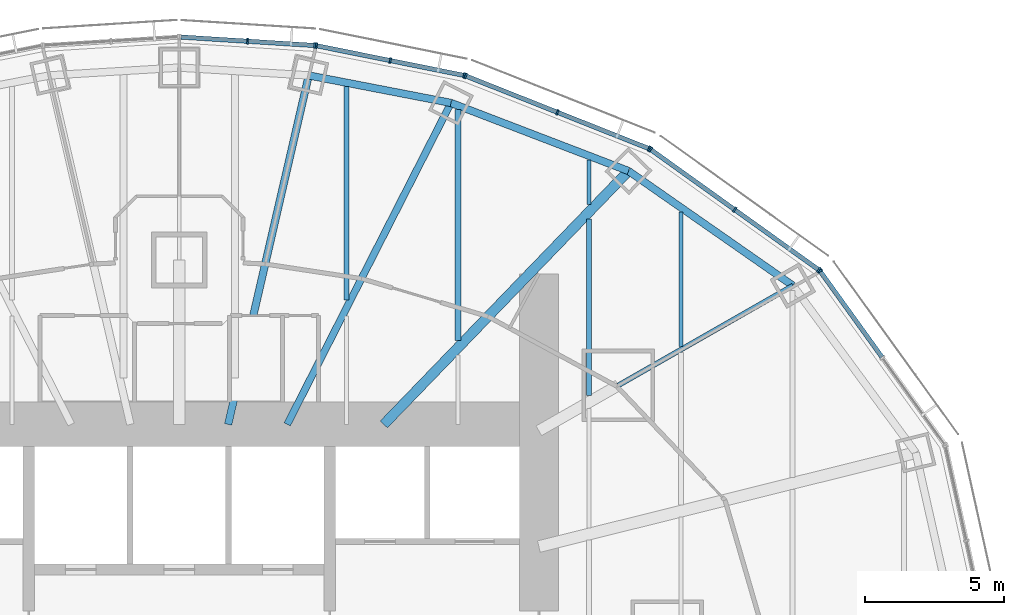
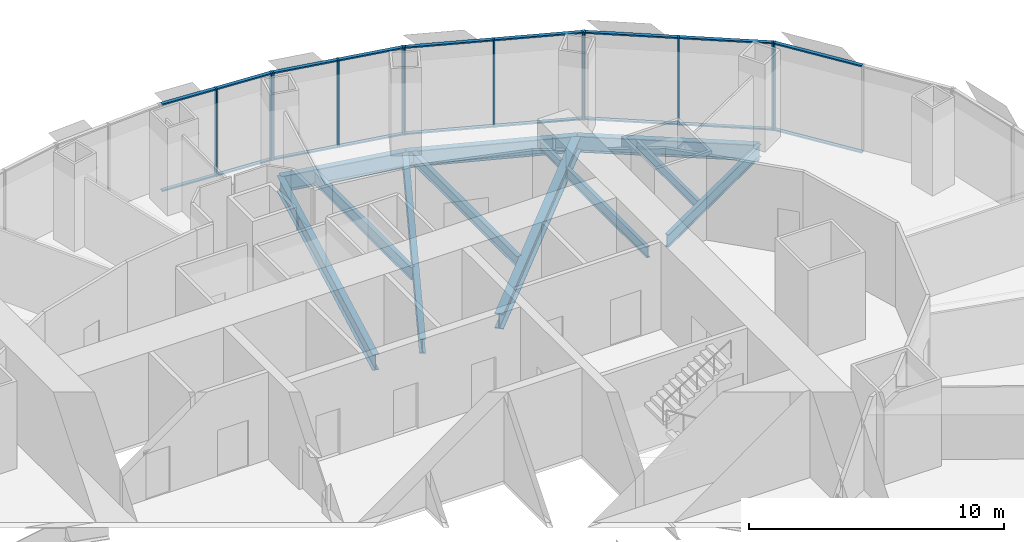
# One storey, part 8 of 18: 30 members, 12 beams, 5 elements without a shape of their own.
"""IFC4 building model written with IfcOpenShell, lengths in metres."""

from ifc_helpers import new_model, si_unit, direction, frame, origin, origin_2d, place, context, subcontext, project, spatial, rectangle, i_section, extrude, material, material_profile, profile_set, type_object, element, aggregate, save


model = new_model("IFC4")

# Units and contexts
model_context = context("Model", 3, precision=1e-05, world=origin(), true_north=direction((0.0, 1.0)))
body_context = subcontext(model_context, "Body", "Model", "MODEL_VIEW")
ifc_project = project(units=[si_unit("LENGTHUNIT", "METRE"), si_unit("AREAUNIT", "SQUARE_METRE"), si_unit("VOLUMEUNIT", "CUBIC_METRE"), si_unit("PLANEANGLEUNIT", "RADIAN"), si_unit("MASSUNIT", "GRAM", prefix="KILO")], contexts=[model_context])

# Site, building, storey
site_placement = place(None, origin())
site = spatial("IfcSite", under=ifc_project, at=site_placement, CompositionType="ELEMENT")
building_placement = place(site_placement, origin())
building = spatial("IfcBuilding", under=site, at=building_placement, Name="Lantaw Convention Tower", CompositionType="ELEMENT")
storey_placement = place(building_placement, frame((0.0, 0.0, 142.60009765625)))
storey = spatial("IfcBuildingStorey", under=building, at=storey_placement, Name="L33", CompositionType="ELEMENT", Elevation=142.60009765625)

# Beams
ifc_material_1 = material(Name="Steel ASTM A992", Category="steel")
ifc_material_profile_1 = material_profile(ifc_material_1, i_section(OverallWidth=0.2666015625, OverallDepth=0.76953125, WebThickness=0.015625, FlangeThickness=0.025390625, FilletRadius=0.0126953125, at=origin_2d()), Name="W30X132")
ifc_profile_set_1 = profile_set([ifc_material_profile_1], Name="Steel ASTM A992")
beam_type_1 = type_object("IfcBeamType", Name="Beam E W30X132", PredefinedType="SPANDREL", material=ifc_profile_set_1)
beam_1_placement = place(storey_placement, frame((22.013916015625, 12.579345703125, -0.534912109375), z_axis=(-0.820310765287, 0.57191804339, 0.0), x_axis=(-0.57191804339, -0.820310765287, 0.0)))
element("IfcBeam", 1, at=beam_1_placement, inside=storey, type_object=beam_type_1, Name="Edge beam 3", PredefinedType="SPANDREL", context=body_context, shape_type="SweptSolid", body=[
    extrude(i_section(OverallWidth=0.2666015625, OverallDepth=0.76953125, WebThickness=0.015625, FlangeThickness=0.025390625, FilletRadius=0.0126953125, at=origin_2d()), origin(), (0.0, 0.0, 1.0), 7.187744140625),
])
beam_2_placement = place(storey_placement, frame((16.11767578125, 16.690185546875, -0.534912109375), z_axis=(-0.933691081977, 0.358079549033, 0.0), x_axis=(-0.358079549033, -0.933691081977, 0.0)))
element("IfcBeam", 2, at=beam_2_placement, inside=storey, type_object=beam_type_1, Name="Edge beam 4", PredefinedType="SPANDREL", context=body_context, shape_type="SweptSolid", body=[
    extrude(i_section(OverallWidth=0.2666015625, OverallDepth=0.76953125, WebThickness=0.015625, FlangeThickness=0.025390625, FilletRadius=0.0126953125, at=origin_2d()), origin(), (0.0, 0.0, 1.0), 6.821533203125),
])
beam_3_placement = place(storey_placement, frame((9.74853515625, 19.1328125, -0.534912109375), z_axis=(-0.981796805654, 0.189934284446, 0.0), x_axis=(-0.189934284446, -0.981796805654, 0.0)))
element("IfcBeam", 3, at=beam_3_placement, inside=storey, type_object=beam_type_1, Name="Edge beam 5", PredefinedType="SPANDREL", context=body_context, shape_type="SweptSolid", body=[
    extrude(i_section(OverallWidth=0.2666015625, OverallDepth=0.76953125, WebThickness=0.015625, FlangeThickness=0.025390625, FilletRadius=0.0126953125, at=origin_2d()), origin(), (0.0, 0.0, 1.0), 5.1982421875),
])
ifc_material_profile_2 = material_profile(ifc_material_1, i_section(OverallWidth=0.177978515625, OverallDepth=0.599365234375, WebThickness=0.010009765625, FlangeThickness=0.012939453125, FilletRadius=0.012939453125, at=origin_2d()), Name="W24X55")
ifc_profile_set_2 = profile_set([ifc_material_profile_2], Name="Steel ASTM A992")
beam_type_2 = type_object("IfcBeamType", Name="Beam G W24X55", PredefinedType="BEAM", material=ifc_profile_set_2)
beam_4_placement = place(storey_placement, frame((15.75, 9.0, -0.44970703125), z_axis=(0.868245224608, 0.496135293993, 0.0), x_axis=(-0.496135293993, 0.868245224608, 0.0)))
element("IfcBeam", 4, at=beam_4_placement, inside=storey, type_object=beam_type_2, Name="Floor girder on ray 3", PredefinedType="BEAM", context=body_context, shape_type="SweptSolid", body=[
    extrude(i_section(OverallWidth=0.177978515625, OverallDepth=0.599365234375, WebThickness=0.010009765625, FlangeThickness=0.012939453125, FilletRadius=0.012939453125, at=origin_2d()), origin(), (0.0, 0.0, 1.0), 7.21435546875),
])
ifc_material_profile_3 = material_profile(ifc_material_1, i_section(OverallWidth=0.25390625, OverallDepth=0.700927734375, WebThickness=0.015380859375, FlangeThickness=0.02783203125, FilletRadius=0.01513671875, at=origin_2d()), Name="W27X129")
ifc_profile_set_3 = profile_set([ifc_material_profile_3], Name="Steel ASTM A992")
beam_type_3 = type_object("IfcBeamType", Name="Beam G W27X129", PredefinedType="BEAM", material=ifc_profile_set_3)
beam_5_placement = place(storey_placement, frame((3.872314453125, 7.60009765625, -0.500732421875), z_axis=(0.453991051051, 0.891006243281, 0.0), x_axis=(-0.891006243281, 0.453991051051, 0.0)))
element("IfcBeam", 5, at=beam_5_placement, inside=storey, type_object=beam_type_3, Name="Floor girder on ray 5", PredefinedType="BEAM", context=body_context, shape_type="SweptSolid", body=[
    extrude(i_section(OverallWidth=0.25390625, OverallDepth=0.700927734375, WebThickness=0.015380859375, FlangeThickness=0.02783203125, FilletRadius=0.01513671875, at=origin_2d()), origin(), (0.0, 0.0, 1.0), 12.943359375),
])
ifc_material_profile_4 = material_profile(ifc_material_1, i_section(OverallWidth=0.360595703125, OverallDepth=0.72900390625, WebThickness=0.023193359375, FlangeThickness=0.041015625, FilletRadius=0.0126953125, at=origin_2d()), Name="W27X235")
ifc_profile_set_4 = profile_set([ifc_material_profile_4], Name="Steel ASTM A992")
beam_type_4 = type_object("IfcBeamType", Name="Beam G W27X235", PredefinedType="BEAM", material=ifc_profile_set_4)
beam_6_placement = place(storey_placement, frame((7.33935546875, 7.60009765625, -0.5146484375), z_axis=(0.694663467407, 0.719334878239, 0.0), x_axis=(-0.719334878239, 0.694663467407, 0.0)))
element("IfcBeam", 6, at=beam_6_placement, inside=storey, type_object=beam_type_4, Name="Floor girder on ray 4", PredefinedType="BEAM", context=body_context, shape_type="SweptSolid", body=[
    extrude(i_section(OverallWidth=0.360595703125, OverallDepth=0.72900390625, WebThickness=0.023193359375, FlangeThickness=0.041015625, FilletRadius=0.0126953125, at=origin_2d()), origin(), (0.0, 0.0, 1.0), 12.63671875),
])
ifc_material_profile_5 = material_profile(ifc_material_1, i_section(OverallWidth=0.2666015625, OverallDepth=0.7568359375, WebThickness=0.013916015625, FlangeThickness=0.019287109375, FilletRadius=0.0126953125, at=origin_2d()), Name="W30X108")
ifc_profile_set_5 = profile_set([ifc_material_profile_5], Name="Steel ASTM A992")
beam_type_5 = type_object("IfcBeamType", Name="Beam G W30X108", PredefinedType="BEAM", material=ifc_profile_set_5)
beam_7_placement = place(storey_placement, frame((1.754638671875, 7.60009765625, -0.528564453125), z_axis=(0.224944153104, 0.974371658036, 0.0), x_axis=(-0.974371658036, 0.224944153104, 0.0)))
element("IfcBeam", 7, at=beam_7_placement, inside=storey, type_object=beam_type_5, Name="Floor girder on ray 6", PredefinedType="BEAM", context=body_context, shape_type="SweptSolid", body=[
    extrude(i_section(OverallWidth=0.2666015625, OverallDepth=0.7568359375, WebThickness=0.013916015625, FlangeThickness=0.019287109375, FilletRadius=0.0126953125, at=origin_2d()), origin(), (0.0, 0.0, 1.0), 12.849365234375),
])
ifc_material_profile_6 = material_profile(ifc_material_1, i_section(OverallWidth=0.140380859375, OverallDepth=0.40380859375, WebThickness=0.007080078125, FlangeThickness=0.01123046875, FilletRadius=0.01025390625, at=origin_2d()), Name="W16X31")
ifc_profile_set_6 = profile_set([ifc_material_profile_6], Name="Steel ASTM A992")
beam_type_6 = type_object("IfcBeamType", Name="Beam J W16X31", PredefinedType="JOIST", material=ifc_profile_set_6)
beam_8_placement = place(storey_placement, frame((14.699951171875, 15.48193359375, -0.35205078125), z_axis=(0.0, 1.0, 0.0), x_axis=(-1.0, 0.0, 0.0)))
element("IfcBeam", 8, at=beam_8_placement, inside=storey, type_object=beam_type_6, Name="Floor joist", PredefinedType="JOIST", context=body_context, shape_type="SweptSolid", body=[
    extrude(i_section(OverallWidth=0.140380859375, OverallDepth=0.40380859375, WebThickness=0.007080078125, FlangeThickness=0.01123046875, FilletRadius=0.01025390625, at=origin_2d()), origin(), (0.0, 0.0, 1.0), 1.609130859375),
])
ifc_material_profile_7 = material_profile(ifc_material_1, i_section(OverallWidth=0.15234375, OverallDepth=0.449462890625, WebThickness=0.007568359375, FlangeThickness=0.0107421875, FilletRadius=0.01025390625, at=origin_2d()), Name="W18X35")
ifc_profile_set_7 = profile_set([ifc_material_profile_7], Name="Steel ASTM A992")
beam_type_7 = type_object("IfcBeamType", Name="Beam J W18X35", PredefinedType="JOIST", material=ifc_profile_set_7)
beam_9_placement = place(storey_placement, frame((18.0, 10.38818359375, -0.375), z_axis=(0.0, 1.0, 0.0), x_axis=(-1.0, 0.0, 0.0)))
element("IfcBeam", 9, at=beam_9_placement, inside=storey, type_object=beam_type_7, Name="Floor joist", PredefinedType="JOIST", context=body_context, shape_type="SweptSolid", body=[
    extrude(i_section(OverallWidth=0.15234375, OverallDepth=0.449462890625, WebThickness=0.007568359375, FlangeThickness=0.0107421875, FilletRadius=0.01025390625, at=origin_2d()), origin(), (0.0, 0.0, 1.0), 4.8271484375),
])
ifc_material_profile_8 = material_profile(ifc_material_1, i_section(OverallWidth=0.1650390625, OverallDepth=0.52587890625, WebThickness=0.0087890625, FlangeThickness=0.011474609375, FilletRadius=0.0126953125, at=origin_2d()), Name="W21X44")
ifc_profile_set_8 = profile_set([ifc_material_profile_8], Name="Steel ASTM A992")
beam_type_8 = type_object("IfcBeamType", Name="Beam J W21X44", PredefinedType="JOIST", material=ifc_profile_set_8)
beam_10_placement = place(storey_placement, frame((14.699951171875, 8.632568359375, -0.4130859375), z_axis=(0.0, 1.0, 0.0), x_axis=(-1.0, 0.0, 0.0)))
element("IfcBeam", 10, at=beam_10_placement, inside=storey, type_object=beam_type_8, Name="Floor joist", PredefinedType="JOIST", context=body_context, shape_type="SweptSolid", body=[
    extrude(i_section(OverallWidth=0.1650390625, OverallDepth=0.52587890625, WebThickness=0.0087890625, FlangeThickness=0.011474609375, FilletRadius=0.0126953125, at=origin_2d()), origin(), (0.0, 0.0, 1.0), 6.330078125),
])
ifc_material_profile_9 = material_profile(ifc_material_1, i_section(OverallWidth=0.2099609375, OverallDepth=0.535888671875, WebThickness=0.010986328125, FlangeThickness=0.017333984375, FilletRadius=0.012939453125, at=origin_2d()), Name="W21X68")
ifc_profile_set_9 = profile_set([ifc_material_profile_9], Name="Steel ASTM A992")
beam_type_9 = type_object("IfcBeamType", Name="Beam J W21X68", PredefinedType="JOIST", material=ifc_profile_set_9)
beam_11_placement = place(storey_placement, frame((10.0, 10.614990234375, -0.41796875), z_axis=(0.0, 1.0, 0.0), x_axis=(-1.0, 0.0, 0.0)))
element("IfcBeam", 11, at=beam_11_placement, inside=storey, type_object=beam_type_9, Name="Floor joist", PredefinedType="JOIST", context=body_context, shape_type="SweptSolid", body=[
    extrude(i_section(OverallWidth=0.2099609375, OverallDepth=0.535888671875, WebThickness=0.010986328125, FlangeThickness=0.017333984375, FilletRadius=0.012939453125, at=origin_2d()), origin(), (0.0, 0.0, 1.0), 8.278564453125),
])
ifc_material_profile_10 = material_profile(ifc_material_1, i_section(OverallWidth=0.177978515625, OverallDepth=0.599365234375, WebThickness=0.010009765625, FlangeThickness=0.012939453125, FilletRadius=0.012939453125, at=origin_2d()), Name="W24X55")
ifc_profile_set_10 = profile_set([ifc_material_profile_10], Name="Steel ASTM A992")
beam_type_10 = type_object("IfcBeamType", Name="Beam J W24X55", PredefinedType="JOIST", material=ifc_profile_set_10)
beam_12_placement = place(storey_placement, frame((6.0, 12.055419921875, -0.44970703125), z_axis=(0.0, 1.0, 0.0), x_axis=(-1.0, 0.0, 0.0)))
element("IfcBeam", 12, at=beam_12_placement, inside=storey, type_object=beam_type_10, Name="Floor joist", PredefinedType="JOIST", context=body_context, shape_type="SweptSolid", body=[
    extrude(i_section(OverallWidth=0.177978515625, OverallDepth=0.599365234375, WebThickness=0.010009765625, FlangeThickness=0.012939453125, FilletRadius=0.012939453125, at=origin_2d()), origin(), (0.0, 0.0, 1.0), 7.666748046875),
])

# Curtain wall, member
ifc_material_2 = material(Name="Aluminium framed curtain wall", Category="aluminium")
curtain_wall_type = type_object("IfcCurtainWallType", Name="Office curtain wall low rise, pale aluminium", PredefinedType="USERDEFINED", material=ifc_material_2)
curtain_wall_1_placement = place(storey_placement, origin())
curtain_wall_1 = element("IfcCurtainWall", 13, at=curtain_wall_1_placement, inside=storey, type_object=curtain_wall_type, Name="Office curtain wall low rise, pale aluminium L33", ObjectType="UNITISED CURTAIN WALL", PredefinedType="USERDEFINED")
ifc_material_3 = material(Name="Aluminium 6063-T6", Category="aluminium")
ifc_material_profile_11 = material_profile(ifc_material_3, rectangle(XDim=0.199951171875, YDim=0.06494140625, at=origin_2d()), Name="CW-O1 mullion 65x200")
ifc_profile_set_11 = profile_set([ifc_material_profile_11], Name="Aluminium 6063-T6")
member_type_1 = type_object("IfcMemberType", Name="CW-O1 mullion 65x200", PredefinedType="MULLION", material=ifc_profile_set_11)
member_1_placement = place(storey_placement, frame((22.988037109375, 13.098876953125, -0.150146484375), z_axis=(0.0, 0.0, 1.0), x_axis=(-0.811384633629, -0.584512597221, 0.0)))
member_1 = element("IfcMember", 14, at=member_1_placement, type_object=member_type_1, Name="CW-O1 mullion 3", PredefinedType="MULLION", context=body_context, shape_type="SweptSolid", body=[
    extrude(rectangle(XDim=0.199951171875, YDim=0.06494140625, at=origin_2d()), origin(), (0.0, 0.0, 1.0), 4.199951171875),
])

# Curtain wall, members
curtain_wall_2_placement = place(storey_placement, origin())
curtain_wall_2 = element("IfcCurtainWall", 15, at=curtain_wall_2_placement, inside=storey, type_object=curtain_wall_type, Name="Office curtain wall low rise, pale aluminium L33", ObjectType="UNITISED CURTAIN WALL", PredefinedType="USERDEFINED")
member_2_placement = place(storey_placement, frame((22.942626953125, 13.14404296875, -0.150146484375), z_axis=(0.0, 0.0, 1.0), x_axis=(-0.581972695693, -0.813208325995, 0.0)))
member_2 = element("IfcMember", 16, at=member_2_placement, type_object=member_type_1, Name="CW-O1 mullion 1", PredefinedType="MULLION", context=body_context, shape_type="SweptSolid", body=[
    extrude(rectangle(XDim=0.199951171875, YDim=0.06494140625, at=origin_2d()), origin(), (0.0, 0.0, 1.0), 4.199951171875),
])
member_3_placement = place(storey_placement, frame((19.92529296875, 15.303466796875, -0.150146484375), z_axis=(0.0, 0.0, 1.0), x_axis=(-0.581972695693, -0.813208325995, 0.0)))
member_3 = element("IfcMember", 17, at=member_3_placement, type_object=member_type_1, Name="CW-O1 mullion 2", PredefinedType="MULLION", context=body_context, shape_type="SweptSolid", body=[
    extrude(rectangle(XDim=0.199951171875, YDim=0.06494140625, at=origin_2d()), origin(), (0.0, 0.0, 1.0), 4.199951171875),
])
member_4_placement = place(storey_placement, frame((16.908203125, 17.462646484375, -0.150146484375), z_axis=(0.0, 0.0, 1.0), x_axis=(-0.581972695693, -0.813208325995, 0.0)))
member_4 = element("IfcMember", 18, at=member_4_placement, type_object=member_type_1, Name="CW-O1 mullion 3", PredefinedType="MULLION", context=body_context, shape_type="SweptSolid", body=[
    extrude(rectangle(XDim=0.199951171875, YDim=0.06494140625, at=origin_2d()), origin(), (0.0, 0.0, 1.0), 4.199951171875),
])

curtain_wall_3_placement = place(storey_placement, origin())
curtain_wall_3 = element("IfcCurtainWall", 19, at=curtain_wall_3_placement, inside=storey, type_object=curtain_wall_type, Name="Office curtain wall low rise, pale aluminium L33", ObjectType="UNITISED CURTAIN WALL", PredefinedType="USERDEFINED")
member_5_placement = place(storey_placement, frame((16.8515625, 17.49365234375, -0.150146484375), z_axis=(0.0, 0.0, 1.0), x_axis=(-0.368701907483, -0.929547687544, 0.0)))
member_5 = element("IfcMember", 20, at=member_5_placement, type_object=member_type_1, Name="CW-O1 mullion 1", PredefinedType="MULLION", context=body_context, shape_type="SweptSolid", body=[
    extrude(rectangle(XDim=0.199951171875, YDim=0.06494140625, at=origin_2d()), origin(), (0.0, 0.0, 1.0), 4.199951171875),
])
member_6_placement = place(storey_placement, frame((13.56494140625, 18.797119140625, -0.150146484375), z_axis=(0.0, 0.0, 1.0), x_axis=(-0.368701907483, -0.929547687544, 0.0)))
member_6 = element("IfcMember", 21, at=member_6_placement, type_object=member_type_1, Name="CW-O1 mullion 2", PredefinedType="MULLION", context=body_context, shape_type="SweptSolid", body=[
    extrude(rectangle(XDim=0.199951171875, YDim=0.06494140625, at=origin_2d()), origin(), (0.0, 0.0, 1.0), 4.199951171875),
])
member_7_placement = place(storey_placement, frame((10.2783203125, 20.100830078125, -0.150146484375), z_axis=(0.0, 0.0, 1.0), x_axis=(-0.368701907483, -0.929547687544, 0.0)))
member_7 = element("IfcMember", 22, at=member_7_placement, type_object=member_type_1, Name="CW-O1 mullion 3", PredefinedType="MULLION", context=body_context, shape_type="SweptSolid", body=[
    extrude(rectangle(XDim=0.199951171875, YDim=0.06494140625, at=origin_2d()), origin(), (0.0, 0.0, 1.0), 4.199951171875),
])

curtain_wall_4_placement = place(storey_placement, origin())
curtain_wall_4 = element("IfcCurtainWall", 23, at=curtain_wall_4_placement, inside=storey, type_object=curtain_wall_type, Name="Office curtain wall low rise, pale aluminium L33", ObjectType="UNITISED CURTAIN WALL", PredefinedType="USERDEFINED")
member_8_placement = place(storey_placement, frame((10.216064453125, 20.119140625, -0.150146484375), z_axis=(0.0, 0.0, 1.0), x_axis=(-0.197506809659, -0.980301514912, 0.0)))
member_8 = element("IfcMember", 24, at=member_8_placement, type_object=member_type_1, Name="CW-O1 mullion 1", PredefinedType="MULLION", context=body_context, shape_type="SweptSolid", body=[
    extrude(rectangle(XDim=0.199951171875, YDim=0.06494140625, at=origin_2d()), origin(), (0.0, 0.0, 1.0), 4.199951171875),
])
member_9_placement = place(storey_placement, frame((7.5703125, 20.65234375, -0.150146484375), z_axis=(0.0, 0.0, 1.0), x_axis=(-0.197506809659, -0.980301514912, 0.0)))
member_9 = element("IfcMember", 25, at=member_9_placement, type_object=member_type_1, Name="CW-O1 mullion 2", PredefinedType="MULLION", context=body_context, shape_type="SweptSolid", body=[
    extrude(rectangle(XDim=0.199951171875, YDim=0.06494140625, at=origin_2d()), origin(), (0.0, 0.0, 1.0), 4.199951171875),
])
member_10_placement = place(storey_placement, frame((4.92431640625, 21.185302734375, -0.150146484375), z_axis=(0.0, 0.0, 1.0), x_axis=(-0.197506809659, -0.980301514912, 0.0)))
member_10 = element("IfcMember", 26, at=member_10_placement, type_object=member_type_1, Name="CW-O1 mullion 3", PredefinedType="MULLION", context=body_context, shape_type="SweptSolid", body=[
    extrude(rectangle(XDim=0.199951171875, YDim=0.06494140625, at=origin_2d()), origin(), (0.0, 0.0, 1.0), 4.199951171875),
])

curtain_wall_5_placement = place(storey_placement, origin())
curtain_wall_5 = element("IfcCurtainWall", 27, at=curtain_wall_5_placement, inside=storey, type_object=curtain_wall_type, Name="Office curtain wall low rise, pale aluminium L33", ObjectType="UNITISED CURTAIN WALL", PredefinedType="USERDEFINED")
member_11_placement = place(storey_placement, frame((4.860107421875, 21.19384765625, -0.150146484375), z_axis=(0.0, 0.0, 1.0), x_axis=(-0.062865059466, -0.998022035978, 0.0)))
member_11 = element("IfcMember", 28, at=member_11_placement, type_object=member_type_1, Name="CW-O1 mullion 1", PredefinedType="MULLION", context=body_context, shape_type="SweptSolid", body=[
    extrude(rectangle(XDim=0.199951171875, YDim=0.06494140625, at=origin_2d()), origin(), (0.0, 0.0, 1.0), 4.199951171875),
])
member_12_placement = place(storey_placement, frame((2.4462890625, 21.345947265625, -0.150146484375), z_axis=(0.0, 0.0, 1.0), x_axis=(-0.062865059466, -0.998022035978, 0.0)))
member_12 = element("IfcMember", 29, at=member_12_placement, type_object=member_type_1, Name="CW-O1 mullion 2", PredefinedType="MULLION", context=body_context, shape_type="SweptSolid", body=[
    extrude(rectangle(XDim=0.199951171875, YDim=0.06494140625, at=origin_2d()), origin(), (0.0, 0.0, 1.0), 4.199951171875),
])

# Member
ifc_material_profile_12 = material_profile(ifc_material_3, rectangle(XDim=0.159912109375, YDim=0.06494140625, at=origin_2d()), Name="CW-O1 transom 65x160")
ifc_profile_set_12 = profile_set([ifc_material_profile_12], Name="Aluminium 6063-T6")
member_type_2 = type_object("IfcMemberType", Name="CW-O1 transom 65x160", PredefinedType="USERDEFINED", material=ifc_profile_set_12)
member_13_placement = place(storey_placement, frame((25.209228515625, 10.015625, -0.11767578125), z_axis=(-0.584512973979, 0.811384362217, 0.0), x_axis=(-0.811384362217, -0.584512973979, 0.0)))
member_13 = element("IfcMember", 30, at=member_13_placement, type_object=member_type_2, Name="CW-O1 transom 2.1", ObjectType="TRANSOM", PredefinedType="USERDEFINED", context=body_context, shape_type="SweptSolid", body=[
    extrude(rectangle(XDim=0.159912109375, YDim=0.06494140625, at=origin_2d()), origin(), (0.0, 0.0, 1.0), 3.767578125),
])

member_14_placement = place(storey_placement, frame((25.209228515625, 10.015625, 4.017333984375), z_axis=(-0.584512973979, 0.811384362217, 0.0), x_axis=(-0.811384362217, -0.584512973979, 0.0)))
member_14 = element("IfcMember", 31, at=member_14_placement, type_object=member_type_2, Name="CW-O1 transom 2.2", ObjectType="TRANSOM", PredefinedType="USERDEFINED", context=body_context, shape_type="SweptSolid", body=[
    extrude(rectangle(XDim=0.159912109375, YDim=0.06494140625, at=origin_2d()), origin(), (0.0, 0.0, 1.0), 3.767578125),
])

aggregate(curtain_wall_1, [member_1, member_13, member_14])

member_15_placement = place(storey_placement, frame((22.916259765625, 13.1630859375, -0.11767578125), z_axis=(-0.813221785972, 0.581953887194, 0.0), x_axis=(-0.581953887194, -0.813221785972, 0.0)))
member_15 = element("IfcMember", 32, at=member_15_placement, type_object=member_type_2, Name="CW-O1 transom 1.1", ObjectType="TRANSOM", PredefinedType="USERDEFINED", context=body_context, shape_type="SweptSolid", body=[
    extrude(rectangle(XDim=0.159912109375, YDim=0.06494140625, at=origin_2d()), origin(), (0.0, 0.0, 1.0), 3.645263671875),
])

member_16_placement = place(storey_placement, frame((22.916259765625, 13.1630859375, 4.017333984375), z_axis=(-0.813221785972, 0.581953887194, 0.0), x_axis=(-0.581953887194, -0.813221785972, 0.0)))
member_16 = element("IfcMember", 33, at=member_16_placement, type_object=member_type_2, Name="CW-O1 transom 1.2", ObjectType="TRANSOM", PredefinedType="USERDEFINED", context=body_context, shape_type="SweptSolid", body=[
    extrude(rectangle(XDim=0.159912109375, YDim=0.06494140625, at=origin_2d()), origin(), (0.0, 0.0, 1.0), 3.645263671875),
])

member_17_placement = place(storey_placement, frame((19.89892578125, 15.322265625, -0.11767578125), z_axis=(-0.813190089133, 0.581998177777, 0.0), x_axis=(-0.581998177777, -0.813190089133, 0.0)))
member_17 = element("IfcMember", 34, at=member_17_placement, type_object=member_type_2, Name="CW-O1 transom 2.1", ObjectType="TRANSOM", PredefinedType="USERDEFINED", context=body_context, shape_type="SweptSolid", body=[
    extrude(rectangle(XDim=0.159912109375, YDim=0.06494140625, at=origin_2d()), origin(), (0.0, 0.0, 1.0), 3.645263671875),
])

member_18_placement = place(storey_placement, frame((19.89892578125, 15.322265625, 4.017333984375), z_axis=(-0.813190089133, 0.581998177777, 0.0), x_axis=(-0.581998177777, -0.813190089133, 0.0)))
member_18 = element("IfcMember", 35, at=member_18_placement, type_object=member_type_2, Name="CW-O1 transom 2.2", ObjectType="TRANSOM", PredefinedType="USERDEFINED", context=body_context, shape_type="SweptSolid", body=[
    extrude(rectangle(XDim=0.159912109375, YDim=0.06494140625, at=origin_2d()), origin(), (0.0, 0.0, 1.0), 3.645263671875),
])

aggregate(curtain_wall_2, [member_2, member_3, member_4, member_15, member_16, member_17, member_18])

member_19_placement = place(storey_placement, frame((16.8212890625, 17.505615234375, -0.11767578125), z_axis=(-0.929564188507, 0.368660303592, 0.0), x_axis=(-0.368660303592, -0.929564188507, 0.0)))
member_19 = element("IfcMember", 36, at=member_19_placement, type_object=member_type_2, Name="CW-O1 transom 1.1", ObjectType="TRANSOM", PredefinedType="USERDEFINED", context=body_context, shape_type="SweptSolid", body=[
    extrude(rectangle(XDim=0.159912109375, YDim=0.06494140625, at=origin_2d()), origin(), (0.0, 0.0, 1.0), 3.470703125),
])

member_20_placement = place(storey_placement, frame((16.8212890625, 17.505615234375, 4.017333984375), z_axis=(-0.929564188507, 0.368660303592, 0.0), x_axis=(-0.368660303592, -0.929564188507, 0.0)))
member_20 = element("IfcMember", 37, at=member_20_placement, type_object=member_type_2, Name="CW-O1 transom 1.2", ObjectType="TRANSOM", PredefinedType="USERDEFINED", context=body_context, shape_type="SweptSolid", body=[
    extrude(rectangle(XDim=0.159912109375, YDim=0.06494140625, at=origin_2d()), origin(), (0.0, 0.0, 1.0), 3.470703125),
])

member_21_placement = place(storey_placement, frame((13.53466796875, 18.80908203125, -0.11767578125), z_axis=(-0.929540081544, 0.368721082668, 0.0), x_axis=(-0.368721082668, -0.929540081544, 0.0)))
member_21 = element("IfcMember", 38, at=member_21_placement, type_object=member_type_2, Name="CW-O1 transom 2.1", ObjectType="TRANSOM", PredefinedType="USERDEFINED", context=body_context, shape_type="SweptSolid", body=[
    extrude(rectangle(XDim=0.159912109375, YDim=0.06494140625, at=origin_2d()), origin(), (0.0, 0.0, 1.0), 3.470947265625),
])

member_22_placement = place(storey_placement, frame((13.53466796875, 18.80908203125, 4.017333984375), z_axis=(-0.929540081544, 0.368721082668, 0.0), x_axis=(-0.368721082668, -0.929540081544, 0.0)))
member_22 = element("IfcMember", 39, at=member_22_placement, type_object=member_type_2, Name="CW-O1 transom 2.2", ObjectType="TRANSOM", PredefinedType="USERDEFINED", context=body_context, shape_type="SweptSolid", body=[
    extrude(rectangle(XDim=0.159912109375, YDim=0.06494140625, at=origin_2d()), origin(), (0.0, 0.0, 1.0), 3.470947265625),
])

aggregate(curtain_wall_3, [member_5, member_6, member_7, member_19, member_20, member_21, member_22])

member_23_placement = place(storey_placement, frame((10.184326171875, 20.125732421875, -0.11767578125), z_axis=(-0.980301643003, 0.197506173891, 0.0), x_axis=(-0.197506173891, -0.980301643003, 0.0)))
member_23 = element("IfcMember", 40, at=member_23_placement, type_object=member_type_2, Name="CW-O1 transom 1.1", ObjectType="TRANSOM", PredefinedType="USERDEFINED", context=body_context, shape_type="SweptSolid", body=[
    extrude(rectangle(XDim=0.159912109375, YDim=0.06494140625, at=origin_2d()), origin(), (0.0, 0.0, 1.0), 2.63427734375),
])

member_24_placement = place(storey_placement, frame((10.184326171875, 20.125732421875, 4.017333984375), z_axis=(-0.980301643003, 0.197506173891, 0.0), x_axis=(-0.197506173891, -0.980301643003, 0.0)))
member_24 = element("IfcMember", 41, at=member_24_placement, type_object=member_type_2, Name="CW-O1 transom 1.2", ObjectType="TRANSOM", PredefinedType="USERDEFINED", context=body_context, shape_type="SweptSolid", body=[
    extrude(rectangle(XDim=0.159912109375, YDim=0.06494140625, at=origin_2d()), origin(), (0.0, 0.0, 1.0), 2.63427734375),
])

member_25_placement = place(storey_placement, frame((7.538330078125, 20.65869140625, -0.11767578125), z_axis=(-0.980298027092, 0.197524120247, 0.0), x_axis=(-0.197524120247, -0.980298027092, 0.0)))
member_25 = element("IfcMember", 42, at=member_25_placement, type_object=member_type_2, Name="CW-O1 transom 2.1", ObjectType="TRANSOM", PredefinedType="USERDEFINED", context=body_context, shape_type="SweptSolid", body=[
    extrude(rectangle(XDim=0.159912109375, YDim=0.06494140625, at=origin_2d()), origin(), (0.0, 0.0, 1.0), 2.634033203125),
])

member_26_placement = place(storey_placement, frame((7.538330078125, 20.65869140625, 4.017333984375), z_axis=(-0.980298027092, 0.197524120247, 0.0), x_axis=(-0.197524120247, -0.980298027092, 0.0)))
member_26 = element("IfcMember", 43, at=member_26_placement, type_object=member_type_2, Name="CW-O1 transom 2.2", ObjectType="TRANSOM", PredefinedType="USERDEFINED", context=body_context, shape_type="SweptSolid", body=[
    extrude(rectangle(XDim=0.159912109375, YDim=0.06494140625, at=origin_2d()), origin(), (0.0, 0.0, 1.0), 2.634033203125),
])

aggregate(curtain_wall_4, [member_8, member_9, member_10, member_23, member_24, member_25, member_26])

member_27_placement = place(storey_placement, frame((4.82763671875, 21.19580078125, -0.11767578125), z_axis=(-0.998022188463, 0.062862638625, 0.0), x_axis=(-0.062862638625, -0.998022188463, 0.0)))
member_27 = element("IfcMember", 44, at=member_27_placement, type_object=member_type_2, Name="CW-O1 transom 1.1", ObjectType="TRANSOM", PredefinedType="USERDEFINED", context=body_context, shape_type="SweptSolid", body=[
    extrude(rectangle(XDim=0.159912109375, YDim=0.06494140625, at=origin_2d()), origin(), (0.0, 0.0, 1.0), 2.353515625),
])

member_28_placement = place(storey_placement, frame((4.82763671875, 21.19580078125, 4.017333984375), z_axis=(-0.998022188463, 0.062862638625, 0.0), x_axis=(-0.062862638625, -0.998022188463, 0.0)))
member_28 = element("IfcMember", 45, at=member_28_placement, type_object=member_type_2, Name="CW-O1 transom 1.2", ObjectType="TRANSOM", PredefinedType="USERDEFINED", context=body_context, shape_type="SweptSolid", body=[
    extrude(rectangle(XDim=0.159912109375, YDim=0.06494140625, at=origin_2d()), origin(), (0.0, 0.0, 1.0), 2.353515625),
])

member_29_placement = place(storey_placement, frame((2.413818359375, 21.347900390625, -0.11767578125), z_axis=(-0.998022188463, 0.062862638625, 0.0), x_axis=(-0.062862638625, -0.998022188463, 0.0)))
member_29 = element("IfcMember", 46, at=member_29_placement, type_object=member_type_2, Name="CW-O1 transom 2.1", ObjectType="TRANSOM", PredefinedType="USERDEFINED", context=body_context, shape_type="SweptSolid", body=[
    extrude(rectangle(XDim=0.159912109375, YDim=0.06494140625, at=origin_2d()), origin(), (0.0, 0.0, 1.0), 2.353515625),
])

member_30_placement = place(storey_placement, frame((2.413818359375, 21.347900390625, 4.017333984375), z_axis=(-0.998022188463, 0.062862638625, 0.0), x_axis=(-0.062862638625, -0.998022188463, 0.0)))
member_30 = element("IfcMember", 47, at=member_30_placement, type_object=member_type_2, Name="CW-O1 transom 2.2", ObjectType="TRANSOM", PredefinedType="USERDEFINED", context=body_context, shape_type="SweptSolid", body=[
    extrude(rectangle(XDim=0.159912109375, YDim=0.06494140625, at=origin_2d()), origin(), (0.0, 0.0, 1.0), 2.353515625),
])

aggregate(curtain_wall_5, [member_11, member_12, member_27, member_28, member_29, member_30])

save(model, "model.ifc")
